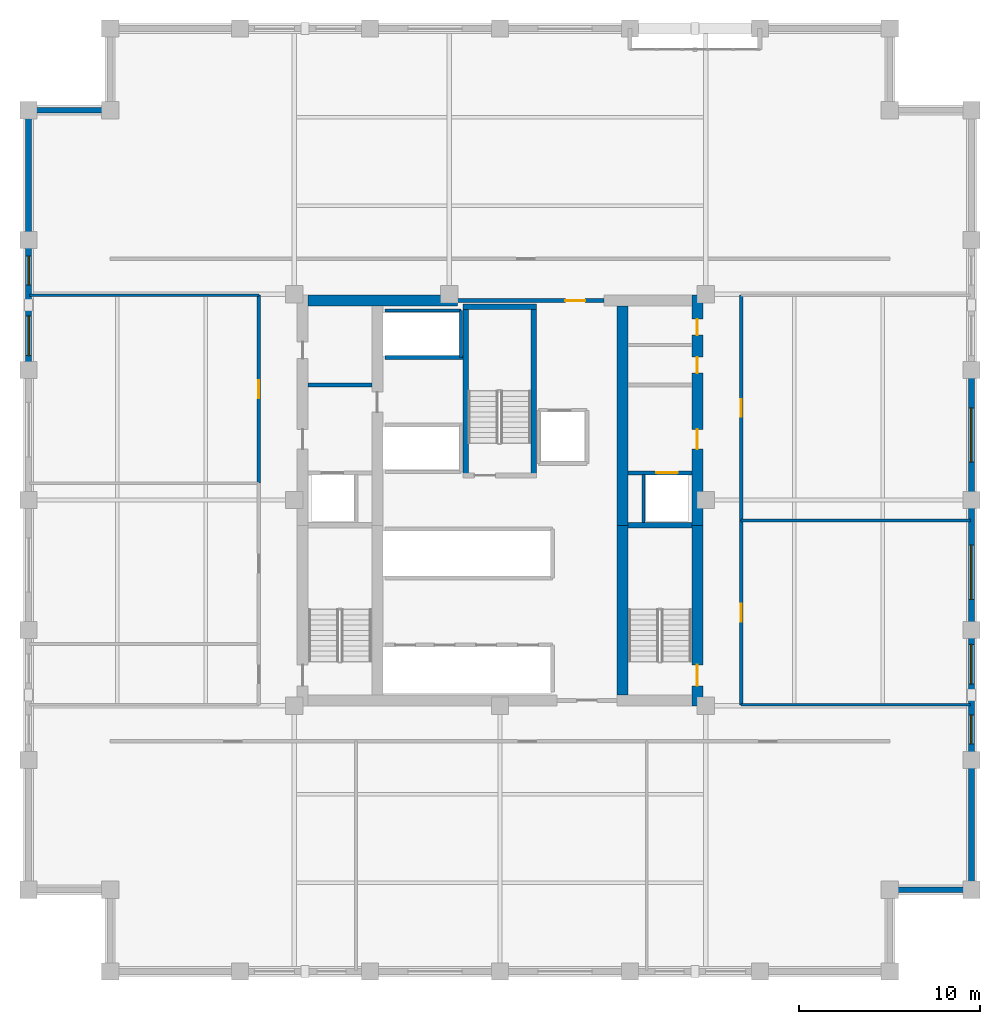
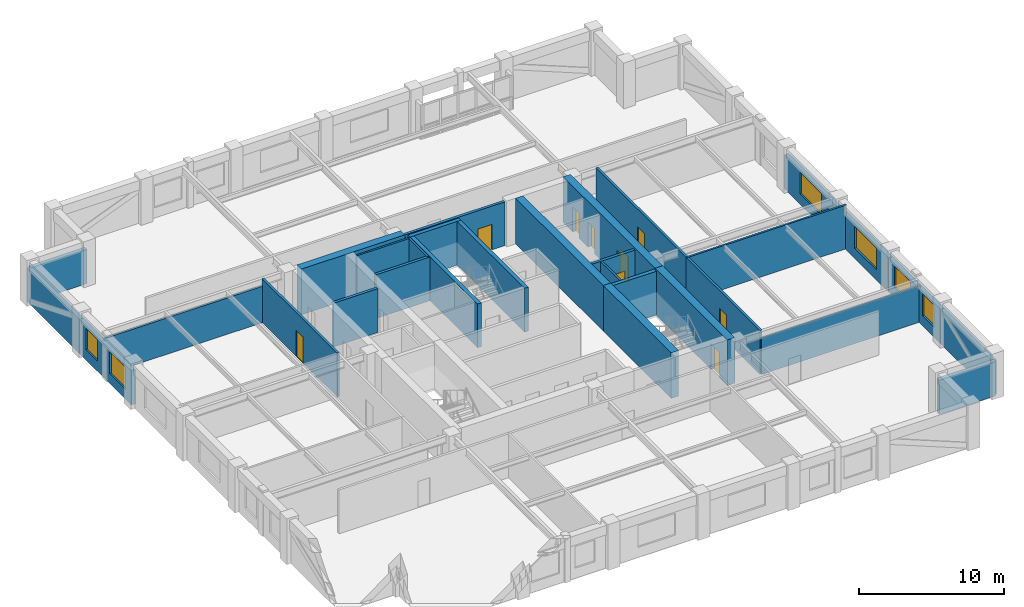
# One storey, part 5 of 8: 30 walls, 9 doors, 6 windows, 15 openings.
"""IFC4 building model written with IfcOpenShell, lengths in metres."""

import ifcopenshell
import ifcopenshell.guid

model = None  # the IFC model being written
_history = None  # IfcOwnerHistory: only IFC2X3 demands one
_inside = {}  # id of a spatial element -> (the spatial element, [elements in it])
_under = {}  # id of a project, library or spatial element -> (it, [spatial elements below it])
_declared = {}  # id of a project -> (the project, [libraries it declares])
_typed = {}  # id of a type object -> (the type object, [elements of that type])
_made_of = {}  # id of a material, layer set ... -> (it, [elements and type objects made of it])


def new_model(schema):
    """Start an empty IFC model of exactly this schema.

    Asked for "IFC4X3", IfcOpenShell would pick the latest addendum, in which some entities
    have other attributes; the version numbers below select the first issue.
    IFC2X3 requires an IfcOwnerHistory on every rooted entity: one is made here for all.
    """
    global model, _history
    if schema == "IFC4X3":
        model = ifcopenshell.file(schema_version=(4, 3, 0, 0))
    else:
        model = ifcopenshell.file(schema=schema)
    _inside.clear()
    _under.clear()
    _declared.clear()
    _typed.clear()
    _made_of.clear()
    _history = None
    if model.schema == "IFC2X3":
        org = make("IfcOrganization", Name="unknown")
        user = make(
            "IfcPersonAndOrganization",
            ThePerson=make("IfcPerson", FamilyName="unknown"),
            TheOrganization=org,
        )
        app = make(
            "IfcApplication",
            ApplicationDeveloper=org,
            Version="unknown",
            ApplicationFullName="unknown",
            ApplicationIdentifier="unknown",
        )
        _history = make(
            "IfcOwnerHistory",
            OwningUser=user,
            OwningApplication=app,
            ChangeAction="ADDED",
            CreationDate=0,
        )
    return model


def make(cls, **values):
    """One entity of the class cls with the attributes given. An attribute that is None is left unset."""
    return model.create_entity(
        cls, **{name: value for name, value in values.items() if value is not None}
    )


def rooted(cls, **values):
    """An entity with a GlobalId (a new one), such as an element, a storey or a relation."""
    return make(cls, GlobalId=ifcopenshell.guid.new(), OwnerHistory=_history, **values)


def si_unit(unit_type, name, prefix=None):
    """IfcSIUnit, for example si_unit("LENGTHUNIT", "METRE", prefix="MILLI")."""
    return make("IfcSIUnit", UnitType=unit_type, Prefix=prefix, Name=name)


def assignment(units):
    """IfcUnitAssignment: the units of a project."""
    return None if units is None else make("IfcUnitAssignment", Units=units)


def point(xyz):
    """IfcCartesianPoint."""
    return None if xyz is None else make("IfcCartesianPoint", Coordinates=xyz)


def direction(xyz):
    """IfcDirection."""
    return None if xyz is None else make("IfcDirection", DirectionRatios=xyz)


def frame(location, z_axis=None, x_axis=None):
    """IfcAxis2Placement3D, a coordinate frame: its origin and axes. An axis left out is left unset."""
    return make(
        "IfcAxis2Placement3D",
        Location=point(location),
        Axis=direction(z_axis),
        RefDirection=direction(x_axis),
    )


def frame_2d(location, x_axis=None):
    """IfcAxis2Placement2D, a coordinate frame in the plane: its origin and x axis."""
    return make(
        "IfcAxis2Placement2D", Location=point(location), RefDirection=direction(x_axis)
    )


def origin():
    """The frame at (0, 0, 0) with its axes left unset."""
    return frame((0.0, 0.0, 0.0))


def place(relative_to, where):
    """IfcLocalPlacement: puts the frame where relative to a parent placement (None: the world)."""
    return make(
        "IfcLocalPlacement", PlacementRelTo=relative_to, RelativePlacement=where
    )


def context(
    kind, dimensions, precision=None, world=None, true_north=None, identifier=None
):
    """IfcGeometricRepresentationContext, for example the 3D "Model" context."""
    return make(
        "IfcGeometricRepresentationContext",
        ContextIdentifier=identifier,
        ContextType=kind,
        CoordinateSpaceDimension=dimensions,
        Precision=precision,
        WorldCoordinateSystem=world,
        TrueNorth=true_north,
    )


def subcontext(parent, identifier, kind, view, scale=None):
    """IfcGeometricRepresentationSubContext, for example "Body" below "Model"."""
    return make(
        "IfcGeometricRepresentationSubContext",
        ContextIdentifier=identifier,
        ContextType=kind,
        ParentContext=parent,
        TargetScale=scale,
        TargetView=view,
    )


def project(units=None, contexts=None):
    """IfcProject with its units and contexts."""
    return rooted(
        "IfcProject",
        Name="project",
        RepresentationContexts=contexts,
        UnitsInContext=assignment(units),
    )


def spatial(cls, under=None, at=None, **own):
    """A site, building, storey or space (cls), placed at a placement, below another one or the project."""
    s = rooted(cls, ObjectPlacement=at, **own)
    if under is not None:
        _under.setdefault(under.id(), (under, []))[1].append(s)
    return s


def profile(cls, at=None, kind="AREA", **sizes):
    """A parametric profile (cls). Its sizes go by their IFC names, for example OverallWidth=200.0."""
    return make(cls, ProfileType=kind, Position=at, **sizes)


def rectangle(**sizes):
    """IfcRectangleProfileDef."""
    return profile("IfcRectangleProfileDef", **sizes)


def extrude(swept, where, along, depth):
    """IfcExtrudedAreaSolid: the profile swept, set in the frame where, extruded along a direction by depth."""
    return make(
        "IfcExtrudedAreaSolid",
        SweptArea=swept,
        Position=where,
        ExtrudedDirection=direction(along),
        Depth=depth,
    )


def shape(context_of_items, identifier, shape_type, items):
    """IfcShapeRepresentation: the items that make up one representation, for example the "Body"."""
    return make(
        "IfcShapeRepresentation",
        ContextOfItems=context_of_items,
        RepresentationIdentifier=identifier,
        RepresentationType=shape_type,
        Items=items,
    )


def material(Name=None, Category=None):
    """IfcMaterial."""
    return make("IfcMaterial", Name=Name, Category=Category)


def layer(
    of_material, thickness, ventilated=None, Name=None, Category=None, Priority=None
):
    """IfcMaterialLayer: one layer of a wall or slab, of a material (None: an air gap)."""
    return make(
        "IfcMaterialLayer",
        Material=of_material,
        LayerThickness=thickness,
        IsVentilated=ventilated,
        Name=Name,
        Category=Category,
        Priority=Priority,
    )


def layer_set(layers, Name=None):
    """IfcMaterialLayerSet."""
    return make("IfcMaterialLayerSet", MaterialLayers=layers, LayerSetName=Name)


def made_of(thing, what):
    """Note that an element or type object is made of a material, layer set ...; save() writes the relation."""
    if what is not None:
        _made_of.setdefault(what.id(), (what, []))[1].append(thing)
    return thing


def type_object(cls, material=None, **own):
    """A type object (cls), such as IfcWallType, which elements share."""
    return made_of(rooted(cls, **own), material)


def element(
    cls,
    number,
    at=None,
    inside=None,
    cuts=None,
    type_object=None,
    material=None,
    context=None,
    identifier="Body",
    shape_type=None,
    held_by="IfcProductDefinitionShape",
    body=None,
    shapes=None,
    **own,
):
    """One element of the class cls, such as IfcWall. Its Tag is "e" and its number.

    at: its placement. inside: the storey or other place that contains it. cuts: it is an
    opening in that element (IfcRelVoidsElement). A single representation is given by context,
    identifier, shape_type and body (its items); several are given by shapes. held_by: the class
    of the entity that holds the representations. save() writes the other relations.
    """
    e = rooted(cls, Tag="e%d" % number, ObjectPlacement=at, **own)
    if body is not None:
        shapes = [shape(context, identifier, shape_type, body)]
    if shapes is not None:
        e.Representation = make(held_by, Representations=shapes)
    if inside is not None:
        _inside.setdefault(inside.id(), (inside, []))[1].append(e)
    if cuts is not None:
        rooted(
            "IfcRelVoidsElement", RelatingBuildingElement=cuts, RelatedOpeningElement=e
        )
    if type_object is not None:
        _typed.setdefault(type_object.id(), (type_object, []))[1].append(e)
    return made_of(e, material)


def fill(opening, filler):
    """IfcRelFillsElement: the door or window that sits in an opening."""
    return rooted(
        "IfcRelFillsElement",
        RelatingOpeningElement=opening,
        RelatedBuildingElement=filler,
    )


def aggregate(whole, parts):
    """IfcRelAggregates: a whole, such as a stair, and the parts it consists of."""
    return rooted("IfcRelAggregates", RelatingObject=whole, RelatedObjects=parts)


def save(model, path):
    """Write the relations noted so far, then the file.

    IfcRelAggregates (storeys below a building ...), IfcRelContainedInSpatialStructure (elements
    in a storey), IfcRelDefinesByType, IfcRelAssociatesMaterial and IfcRelDeclares: one each for
    every whole, place, type object, material and project.
    """
    for whole, parts in _under.values():
        aggregate(whole, parts)
    for where, things in _inside.values():
        rooted(
            "IfcRelContainedInSpatialStructure",
            RelatedElements=things,
            RelatingStructure=where,
        )
    for kind, things in _typed.values():
        rooted("IfcRelDefinesByType", RelatedObjects=things, RelatingType=kind)
    for what, things in _made_of.values():
        rooted("IfcRelAssociatesMaterial", RelatedObjects=things, RelatingMaterial=what)
    for by, libraries in _declared.values():
        rooted("IfcRelDeclares", RelatingContext=by, RelatedDefinitions=libraries)
    model.write(path)


model = new_model("IFC4")

# Units and contexts
model_context = context("Model", 3, precision=1e-05, world=origin(), true_north=direction((0.0, 1.0)))
body_context = subcontext(model_context, "Body", "Model", "MODEL_VIEW")
ifc_project = project(units=[si_unit("LENGTHUNIT", "METRE"), si_unit("AREAUNIT", "SQUARE_METRE"), si_unit("VOLUMEUNIT", "CUBIC_METRE"), si_unit("PLANEANGLEUNIT", "RADIAN"), si_unit("MASSUNIT", "GRAM", prefix="KILO")], contexts=[model_context])

# Site, building, storey
site_placement = place(None, origin())
site = spatial("IfcSite", under=ifc_project, at=site_placement, CompositionType="ELEMENT")
building_placement = place(site_placement, origin())
building = spatial("IfcBuilding", under=site, at=building_placement, Name="Nhamokura Convention Tower", CompositionType="ELEMENT")
storey_placement = place(building_placement, frame((0.0, 0.0, 137.550048828125)))
storey = spatial("IfcBuildingStorey", under=building, at=storey_placement, Name="L33", CompositionType="ELEMENT", Elevation=137.550048828125)

# Wall, openings, windows
ifc_material_1 = material(Name="Bronze-pigmented precast concrete C45/55", Category="concrete")
ifc_layer_1 = layer(ifc_material_1, 0.320068359375)
ifc_layer_set_1 = layer_set([ifc_layer_1], Name="BronzePrecastSpandrel_320")
wall_type_1 = type_object("IfcWallType", Name="BronzePrecastSpandrel_320", PredefinedType="USERDEFINED", material=ifc_layer_set_1)
wall_1_placement = place(storey_placement, frame((6.0, 39.166748046875, 0.0), z_axis=(0.0, 0.0, 1.0), x_axis=(0.0, 1.0, 0.0)))
wall_1 = element("IfcWall", 1, at=wall_1_placement, inside=storey, type_object=wall_type_1, Name="L33 Masonry-Frame Wall WEST 4", ObjectType="SPANDREL_WALL", PredefinedType="USERDEFINED", context=body_context, shape_type="SweptSolid", body=[
    extrude(rectangle(XDim=7.16650390625, YDim=0.320068359375, at=frame_2d((3.583251953125, 0.0))), origin(), (0.0, 0.0, 1.0), 2.885009765625),
])
opening_1_placement = place(wall_1_placement, frame((0.791748046875, 0.0, 0.85009765625)))
opening_1 = element("IfcOpeningElement", 2, at=opening_1_placement, cuts=wall_1, Name="Opening W-06", PredefinedType="OPENING", context=body_context, shape_type="SweptSolid", body=[
    extrude(rectangle(XDim=2.199951171875, YDim=1.8349609375, at=frame_2d((1.10009765625, 0.91748046875))), frame((0.0, 0.169921875, 0.0), z_axis=(0.0, -1.0, 0.0), x_axis=(1.0, 0.0, 0.0)), (0.0, 0.0, 1.0), 0.340087890625),
])
opening_2_placement = place(wall_1_placement, frame((4.6875, 0.0, 0.85009765625)))
opening_2 = element("IfcOpeningElement", 3, at=opening_2_placement, cuts=wall_1, Name="Opening W-11", PredefinedType="OPENING", context=body_context, shape_type="SweptSolid", body=[
    extrude(rectangle(XDim=1.60009765625, YDim=1.8349609375, at=frame_2d((0.800048828125, 0.91748046875))), frame((0.0, 0.169921875, 0.0), z_axis=(0.0, -1.0, 0.0), x_axis=(1.0, 0.0, 0.0)), (0.0, 0.0, 1.0), 0.340087890625),
])
ifc_material_2 = material(Name="Solar-control bronze low-E double glass", Category="glass")
window_type_1 = type_object("IfcWindowType", Name="NotchCornerWindow_1600", PartitioningType="SINGLE_PANEL", PredefinedType="WINDOW", material=ifc_material_2)
window_1_placement = place(opening_2_placement, origin())
window_1 = element("IfcWindow", 4, at=window_1_placement, inside=storey, type_object=window_type_1, Name="L33 Facade Window WEST 4-2", OverallHeight=1.8349609375, OverallWidth=1.60009765625, PartitioningType="SINGLE_PANEL", PredefinedType="WINDOW", context=body_context, shape_type="SweptSolid", body=[
    extrude(rectangle(XDim=1.60009765625, YDim=1.8349609375, at=frame_2d((0.800048828125, 0.91748046875))), frame((0.0, 0.030029296875, 0.0), z_axis=(0.0, -1.0, 0.0), x_axis=(1.0, 0.0, 0.0)), (0.0, 0.0, 1.0), 0.06005859375),
])
fill(opening_2, window_1)
ifc_material_3 = material(Name="Solar-control bronze low-E double glass", Category="glass")
window_type_2 = type_object("IfcWindowType", Name="OfficeModuleWindow_Z2_2200", PartitioningType="SINGLE_PANEL", PredefinedType="WINDOW", material=ifc_material_3)
window_2_placement = place(opening_1_placement, origin())
window_2 = element("IfcWindow", 5, at=window_2_placement, inside=storey, type_object=window_type_2, Name="L33 Facade Window WEST 4-1", OverallHeight=1.8349609375, OverallWidth=2.199951171875, PartitioningType="SINGLE_PANEL", PredefinedType="WINDOW", context=body_context, shape_type="SweptSolid", body=[
    extrude(rectangle(XDim=2.199951171875, YDim=1.8349609375, at=frame_2d((1.10009765625, 0.91748046875))), frame((0.0, 0.030029296875, 0.0), z_axis=(0.0, -1.0, 0.0), x_axis=(1.0, 0.0, 0.0)), (0.0, 0.0, 1.0), 0.06005859375),
])
fill(opening_1, window_2)

# Walls
for number, where, z_axis, x_axis, name in (
    (6, (6.0, 46.333251953125, 0.0), (0.0, 0.0, 1.0), (0.0, 1.0, 0.0), "L33 Braced-Bay Precast Wall WEST 5"),
    (7, (58.0, 17.666748046875, 0.0), (0.0, 0.0, 1.0), (0.0, -1.0, 0.0), "L33 Braced-Bay Precast Wall EAST 0"),
):
    element("IfcWall", number, at=place(storey_placement, frame(where, z_axis=z_axis, x_axis=x_axis)), inside=storey, type_object=wall_type_1, Name=name, ObjectType="SPANDREL_WALL", PredefinedType="USERDEFINED", context=body_context, shape_type="SweptSolid", body=[
        extrude(rectangle(XDim=7.166748046875, YDim=0.320068359375, at=frame_2d((3.58349609375, 0.0))), origin(), (0.0, 0.0, 1.0), 2.885009765625),
    ])

# Wall, openings, windows
wall_2_placement = place(storey_placement, frame((58.0, 24.833251953125, 0.0), z_axis=(0.0, 0.0, 1.0), x_axis=(0.0, -1.0, 0.0)))
wall_2 = element("IfcWall", 8, at=wall_2_placement, inside=storey, type_object=wall_type_1, Name="L33 Masonry-Frame Wall EAST 1", ObjectType="SPANDREL_WALL", PredefinedType="USERDEFINED", context=body_context, shape_type="SweptSolid", body=[
    extrude(rectangle(XDim=7.16650390625, YDim=0.320068359375, at=frame_2d((3.583251953125, 0.0))), origin(), (0.0, 0.0, 1.0), 2.885009765625),
])
opening_3_placement = place(wall_2_placement, frame((0.791748046875, 0.0, 0.85009765625)))
opening_3 = element("IfcOpeningElement", 9, at=opening_3_placement, cuts=wall_2, Name="Opening W-06", PredefinedType="OPENING", context=body_context, shape_type="SweptSolid", body=[
    extrude(rectangle(XDim=2.199951171875, YDim=1.8349609375, at=frame_2d((1.10009765625, 0.91748046875))), frame((0.0, 0.169921875, 0.0), z_axis=(0.0, -1.0, 0.0), x_axis=(1.0, 0.0, 0.0)), (0.0, 0.0, 1.0), 0.340087890625),
])
opening_4_placement = place(wall_2_placement, frame((4.6875, 0.0, 0.85009765625)))
opening_4 = element("IfcOpeningElement", 10, at=opening_4_placement, cuts=wall_2, Name="Opening W-11", PredefinedType="OPENING", context=body_context, shape_type="SweptSolid", body=[
    extrude(rectangle(XDim=1.60009765625, YDim=1.8349609375, at=frame_2d((0.800048828125, 0.91748046875))), frame((0.0, 0.169921875, 0.0), z_axis=(0.0, -1.0, 0.0), x_axis=(1.0, 0.0, 0.0)), (0.0, 0.0, 1.0), 0.340087890625),
])
window_3_placement = place(opening_4_placement, origin())
window_3 = element("IfcWindow", 11, at=window_3_placement, inside=storey, type_object=window_type_1, Name="L33 Facade Window EAST 1-2", OverallHeight=1.8349609375, OverallWidth=1.60009765625, PartitioningType="SINGLE_PANEL", PredefinedType="WINDOW", context=body_context, shape_type="SweptSolid", body=[
    extrude(rectangle(XDim=1.60009765625, YDim=1.8349609375, at=frame_2d((0.800048828125, 0.91748046875))), frame((0.0, 0.030029296875, 0.0), z_axis=(0.0, -1.0, 0.0), x_axis=(1.0, 0.0, 0.0)), (0.0, 0.0, 1.0), 0.06005859375),
])
fill(opening_4, window_3)
window_4_placement = place(opening_3_placement, origin())
window_4 = element("IfcWindow", 12, at=window_4_placement, inside=storey, type_object=window_type_2, Name="L33 Facade Window EAST 1-1", OverallHeight=1.8349609375, OverallWidth=2.199951171875, PartitioningType="SINGLE_PANEL", PredefinedType="WINDOW", context=body_context, shape_type="SweptSolid", body=[
    extrude(rectangle(XDim=2.199951171875, YDim=1.8349609375, at=frame_2d((1.10009765625, 0.91748046875))), frame((0.0, 0.030029296875, 0.0), z_axis=(0.0, -1.0, 0.0), x_axis=(1.0, 0.0, 0.0)), (0.0, 0.0, 1.0), 0.06005859375),
])
fill(opening_3, window_4)

# Wall, opening, window
wall_3_placement = place(storey_placement, frame((58.0, 32.0, 0.0), z_axis=(0.0, 0.0, 1.0), x_axis=(0.0, -1.0, 0.0)))
wall_3 = element("IfcWall", 13, at=wall_3_placement, inside=storey, type_object=wall_type_1, Name="L33 Masonry-Frame Wall EAST 2", ObjectType="SPANDREL_WALL", PredefinedType="USERDEFINED", context=body_context, shape_type="SweptSolid", body=[
    extrude(rectangle(XDim=7.166748046875, YDim=0.320068359375, at=frame_2d((3.58349609375, 0.0))), origin(), (0.0, 0.0, 1.0), 2.885009765625),
])
opening_5_placement = place(wall_3_placement, frame((2.4833984375, 0.0, 0.85009765625)))
opening_5 = element("IfcOpeningElement", 14, at=opening_5_placement, cuts=wall_3, Name="Opening W-05", PredefinedType="OPENING", context=body_context, shape_type="SweptSolid", body=[
    extrude(rectangle(XDim=3.0, YDim=1.8349609375, at=frame_2d((1.5, 0.91748046875))), frame((0.0, 0.169921875, 0.0), z_axis=(0.0, -1.0, 0.0), x_axis=(1.0, 0.0, 0.0)), (0.0, 0.0, 1.0), 0.340087890625),
])
ifc_material_4 = material(Name="Solar-control bronze low-E double glass", Category="glass")
window_type_3 = type_object("IfcWindowType", Name="OfficeModuleWindow_Z2_3000", PartitioningType="DOUBLE_PANEL_VERTICAL", PredefinedType="WINDOW", material=ifc_material_4)
window_5_placement = place(opening_5_placement, origin())
window_5 = element("IfcWindow", 15, at=window_5_placement, inside=storey, type_object=window_type_3, Name="L33 Facade Window EAST 2-2", OverallHeight=1.8349609375, OverallWidth=3.0, PartitioningType="SINGLE_PANEL", PredefinedType="WINDOW", context=body_context, shape_type="SweptSolid", body=[
    extrude(rectangle(XDim=3.0, YDim=1.8349609375, at=frame_2d((1.5, 0.91748046875))), frame((0.0, 0.030029296875, 0.0), z_axis=(0.0, -1.0, 0.0), x_axis=(1.0, 0.0, 0.0)), (0.0, 0.0, 1.0), 0.06005859375),
])
fill(opening_5, window_5)

wall_4_placement = place(storey_placement, frame((58.0, 39.166748046875, 0.0), z_axis=(0.0, 0.0, 1.0), x_axis=(0.0, -1.0, 0.0)))
wall_4 = element("IfcWall", 16, at=wall_4_placement, inside=storey, type_object=wall_type_1, Name="L33 Masonry-Frame Wall EAST 3", ObjectType="SPANDREL_WALL", PredefinedType="USERDEFINED", context=body_context, shape_type="SweptSolid", body=[
    extrude(rectangle(XDim=7.166748046875, YDim=0.320068359375, at=frame_2d((3.58349609375, 0.0))), origin(), (0.0, 0.0, 1.0), 2.885009765625),
])
opening_6_placement = place(wall_4_placement, frame((2.083251953125, 0.0, 0.85009765625)))
opening_6 = element("IfcOpeningElement", 17, at=opening_6_placement, cuts=wall_4, Name="Opening W-05", PredefinedType="OPENING", context=body_context, shape_type="SweptSolid", body=[
    extrude(rectangle(XDim=3.0, YDim=1.8349609375, at=frame_2d((1.5, 0.91748046875))), frame((0.0, 0.169921875, 0.0), z_axis=(0.0, -1.0, 0.0), x_axis=(1.0, 0.0, 0.0)), (0.0, 0.0, 1.0), 0.340087890625),
])
window_6_placement = place(opening_6_placement, origin())
window_6 = element("IfcWindow", 18, at=window_6_placement, inside=storey, type_object=window_type_3, Name="L33 Facade Window EAST 3", OverallHeight=1.8349609375, OverallWidth=3.0, PartitioningType="SINGLE_PANEL", PredefinedType="WINDOW", context=body_context, shape_type="SweptSolid", body=[
    extrude(rectangle(XDim=3.0, YDim=1.8349609375, at=frame_2d((1.5, 0.91748046875))), frame((0.0, 0.030029296875, 0.0), z_axis=(0.0, -1.0, 0.0), x_axis=(1.0, 0.0, 0.0)), (0.0, 0.0, 1.0), 0.06005859375),
])
fill(opening_6, window_6)

# Walls
for number, where, z_axis, x_axis, name in (
    (19, (58.0, 10.5, 0.0), (0.0, 0.0, 1.0), (-1.0, 0.0, 0.0), "L33 Notched Corner Wall SE2"),
    (20, (6.0, 53.5, 0.0), (0.0, 0.0, 1.0), (1.0, 0.0, 0.0), "L33 Notched Corner Wall NW2"),
):
    element("IfcWall", number, at=place(storey_placement, frame(where, z_axis=z_axis, x_axis=x_axis)), inside=storey, type_object=wall_type_1, Name=name, ObjectType="SPANDREL_WALL", PredefinedType="USERDEFINED", context=body_context, shape_type="SweptSolid", body=[
        extrude(rectangle(XDim=4.5, YDim=0.320068359375, at=frame_2d((2.25, 0.0))), origin(), (0.0, 0.0, 1.0), 2.885009765625),
    ])

# Wall, opening, door
ifc_material_5 = material(Name="Concrete C60/75", Category="concrete")
ifc_layer_2 = layer(ifc_material_5, 0.60009765625)
ifc_layer_set_2 = layer_set([ifc_layer_2], Name="CoreShearWall_600")
wall_type_2 = type_object("IfcWallType", Name="CoreShearWall_600", PredefinedType="SHEAR", material=ifc_layer_set_2)
wall_5_placement = place(storey_placement, frame((42.889892578125, 20.64990234375, 0.0), z_axis=(0.0, 0.0, 1.0), x_axis=(0.0, 1.0, 0.0)))
wall_5 = element("IfcWall", 21, at=wall_5_placement, inside=storey, type_object=wall_type_2, Name="L33 Core Shear Wall CW-ES", PredefinedType="SHEAR", context=body_context, shape_type="SweptSolid", body=[
    extrude(rectangle(XDim=9.9501953125, YDim=0.60009765625, at=frame_2d((4.97509765625, 0.0))), origin(), (0.0, 0.0, 1.0), 3.849853515625),
])
opening_7_placement = place(wall_5_placement, frame((1.10009765625, 0.0, 0.0)))
opening_7 = element("IfcOpeningElement", 22, at=opening_7_placement, cuts=wall_5, Name="Opening D-04", PredefinedType="OPENING", context=body_context, shape_type="SweptSolid", body=[
    extrude(rectangle(XDim=1.14990234375, YDim=2.14990234375, at=frame_2d((0.574951171875, 1.074951171875))), frame((0.0, 0.31005859375, 0.0), z_axis=(0.0, -1.0, 0.0), x_axis=(1.0, 0.0, 0.0)), (0.0, 0.0, 1.0), 0.6201171875),
])
ifc_material_6 = material(Name="Fire-rated steel door", Category="steel")
door_type_1 = type_object("IfcDoorType", Name="StairSmokeDoor_1150", OperationType="NOTDEFINED", PredefinedType="DOOR", material=ifc_material_6)
door_1_placement = place(opening_7_placement, origin())
door_1 = element("IfcDoor", 23, at=door_1_placement, inside=storey, type_object=door_type_1, Name="L33 Core Door INT-L33-D-ST02", OperationType="SINGLE_SWING_RIGHT", OverallHeight=2.14990234375, OverallWidth=1.14990234375, PredefinedType="DOOR", context=body_context, shape_type="SweptSolid", body=[
    extrude(rectangle(XDim=1.14990234375, YDim=2.14990234375, at=frame_2d((0.574951171875, 1.074951171875))), frame((0.0, 0.02490234375, 0.0), z_axis=(0.0, -1.0, 0.0), x_axis=(1.0, 0.0, 0.0)), (0.0, 0.0, 1.0), 0.050048828125),
])
fill(opening_7, door_1)

# Wall, openings, doors
wall_6_placement = place(storey_placement, frame((42.889892578125, 30.60009765625, 0.0), z_axis=(0.0, 0.0, 1.0), x_axis=(0.0, 1.0, 0.0)))
wall_6 = element("IfcWall", 24, at=wall_6_placement, inside=storey, type_object=wall_type_2, Name="L33 Core Shear Wall CW-EN", PredefinedType="SHEAR", context=body_context, shape_type="SweptSolid", body=[
    extrude(rectangle(XDim=12.699951171875, YDim=0.60009765625, at=frame_2d((6.35009765625, 0.0))), origin(), (0.0, 0.0, 1.0), 3.849853515625),
])
opening_8_placement = place(wall_6_placement, frame((4.199951171875, 0.0, 0.0)))
opening_8 = element("IfcOpeningElement", 25, at=opening_8_placement, cuts=wall_6, Name="Opening D-05", PredefinedType="OPENING", context=body_context, shape_type="SweptSolid", body=[
    extrude(rectangle(XDim=1.10009765625, YDim=2.14990234375, at=frame_2d((0.550048828125, 1.074951171875))), frame((0.0, 0.31005859375, 0.0), z_axis=(0.0, -1.0, 0.0), x_axis=(1.0, 0.0, 0.0)), (0.0, 0.0, 1.0), 0.6201171875),
])
opening_9_placement = place(wall_6_placement, frame((8.39990234375, 0.0, 0.0)))
opening_9 = element("IfcOpeningElement", 26, at=opening_9_placement, cuts=wall_6, Name="Opening D-11", PredefinedType="OPENING", context=body_context, shape_type="SweptSolid", body=[
    extrude(rectangle(XDim=0.8798828125, YDim=2.10009765625, at=frame_2d((0.43994140625, 1.050048828125))), frame((0.0, 0.31005859375, 0.0), z_axis=(0.0, -1.0, 0.0), x_axis=(1.0, 0.0, 0.0)), (0.0, 0.0, 1.0), 0.6201171875),
])
opening_10_placement = place(wall_6_placement, frame((10.5, 0.0, 0.0)))
opening_10 = element("IfcOpeningElement", 27, at=opening_10_placement, cuts=wall_6, Name="Opening D-11", PredefinedType="OPENING", context=body_context, shape_type="SweptSolid", body=[
    extrude(rectangle(XDim=0.8798828125, YDim=2.10009765625, at=frame_2d((0.43994140625, 1.050048828125))), frame((0.0, 0.31005859375, 0.0), z_axis=(0.0, -1.0, 0.0), x_axis=(1.0, 0.0, 0.0)), (0.0, 0.0, 1.0), 0.6201171875),
])
ifc_material_7 = material(Name="Solid oak hardwood", Category="wood")
door_type_2 = type_object("IfcDoorType", Name="BathroomDoor_880", OperationType="NOTDEFINED", PredefinedType="DOOR", material=ifc_material_7)
door_2_placement = place(opening_9_placement, origin())
door_2 = element("IfcDoor", 28, at=door_2_placement, inside=storey, type_object=door_type_2, Name="L33 Core Door INT-L33-D-MWC", OperationType="SINGLE_SWING_RIGHT", OverallHeight=2.10009765625, OverallWidth=0.8798828125, PredefinedType="DOOR", context=body_context, shape_type="SweptSolid", body=[
    extrude(rectangle(XDim=0.8798828125, YDim=2.10009765625, at=frame_2d((0.43994140625, 1.050048828125))), frame((0.0, 0.02490234375, 0.0), z_axis=(0.0, -1.0, 0.0), x_axis=(1.0, 0.0, 0.0)), (0.0, 0.0, 1.0), 0.050048828125),
])
fill(opening_9, door_2)
door_3_placement = place(opening_10_placement, origin())
door_3 = element("IfcDoor", 29, at=door_3_placement, inside=storey, type_object=door_type_2, Name="L33 Core Door INT-L33-D-FWC", OperationType="SINGLE_SWING_LEFT", OverallHeight=2.10009765625, OverallWidth=0.8798828125, PredefinedType="DOOR", context=body_context, shape_type="SweptSolid", body=[
    extrude(rectangle(XDim=0.8798828125, YDim=2.10009765625, at=frame_2d((0.43994140625, 1.050048828125))), frame((0.0, 0.02490234375, 0.0), z_axis=(0.0, -1.0, 0.0), x_axis=(1.0, 0.0, 0.0)), (0.0, 0.0, 1.0), 0.050048828125),
])
fill(opening_10, door_3)
ifc_material_8 = material(Name="Fire-rated steel door", Category="steel")
door_type_3 = type_object("IfcDoorType", Name="FireLobbyDoor_1100", OperationType="NOTDEFINED", PredefinedType="DOOR", material=ifc_material_8)
door_4_placement = place(opening_8_placement, origin())
door_4 = element("IfcDoor", 30, at=door_4_placement, inside=storey, type_object=door_type_3, Name="L33 Core Door INT-L33-D-FFLE", OperationType="SINGLE_SWING_LEFT", OverallHeight=2.14990234375, OverallWidth=1.10009765625, PredefinedType="DOOR", context=body_context, shape_type="SweptSolid", body=[
    extrude(rectangle(XDim=1.10009765625, YDim=2.14990234375, at=frame_2d((0.550048828125, 1.074951171875))), frame((0.0, 0.02490234375, 0.0), z_axis=(0.0, -1.0, 0.0), x_axis=(1.0, 0.0, 0.0)), (0.0, 0.0, 1.0), 0.050048828125),
])
fill(opening_8, door_4)

# Walls
wall_7_placement = place(storey_placement, frame((21.409912109375, 43.0, 0.0), z_axis=(0.0, 0.0, 1.0), x_axis=(1.0, 0.0, 0.0)))
element("IfcWall", 31, at=wall_7_placement, inside=storey, type_object=wall_type_2, Name="L33 Core Shear Wall CW-N1", PredefinedType="SHEAR", context=body_context, shape_type="SweptSolid", body=[
    extrude(rectangle(XDim=8.239990234375, YDim=0.60009765625, at=frame_2d((4.1201171875, 0.0))), origin(), (0.0, 0.0, 1.0), 3.849853515625),
])
wall_8_placement = place(storey_placement, frame((38.760009765625, 21.25, 0.0), z_axis=(0.0, 0.0, 1.0), x_axis=(0.0, 1.0, 0.0)))
element("IfcWall", 32, at=wall_8_placement, inside=storey, type_object=wall_type_2, Name="L33 Core Shear Wall CW-IES", PredefinedType="SHEAR", context=body_context, shape_type="SweptSolid", body=[
    extrude(rectangle(XDim=9.35009765625, YDim=0.60009765625, at=frame_2d((4.675048828125, 0.0))), origin(), (0.0, 0.0, 1.0), 3.849853515625),
])
wall_9_placement = place(storey_placement, frame((38.760009765625, 30.60009765625, 0.0), z_axis=(0.0, 0.0, 1.0), x_axis=(0.0, 1.0, 0.0)))
element("IfcWall", 33, at=wall_9_placement, inside=storey, type_object=wall_type_2, Name="L33 Core Shear Wall CW-IEN", PredefinedType="SHEAR", context=body_context, shape_type="SweptSolid", body=[
    extrude(rectangle(XDim=12.099853515625, YDim=0.60009765625, at=frame_2d((6.0498046875, 0.0))), origin(), (0.0, 0.0, 1.0), 3.849853515625),
])

# Wall, opening, door
ifc_material_9 = material(Name="Fire-rated gypsum and masonry partition", Category="masonry")
ifc_layer_3 = layer(ifc_material_9, 0.179931640625)
ifc_layer_set_3 = layer_set([ifc_layer_3], Name="CorridorRatedWall_180")
wall_type_3 = type_object("IfcWallType", Name="CorridorRatedWall_180", PredefinedType="STANDARD", material=ifc_layer_set_3)
wall_10_placement = place(storey_placement, frame((18.699951171875, 32.925048828125, 0.0), z_axis=(0.0, 0.0, 1.0), x_axis=(0.0, 1.0, 0.0)))
wall_10 = element("IfcWall", 34, at=wall_10_placement, inside=storey, type_object=wall_type_3, Name="L33 Wall INT-L33-CW-W02", PredefinedType="STANDARD", context=body_context, shape_type="SweptSolid", body=[
    extrude(rectangle(XDim=10.375, YDim=0.179931640625, at=frame_2d((5.1875, 0.0))), origin(), (0.0, 0.0, 1.0), 3.68505859375),
])
opening_11_placement = place(wall_10_placement, frame((4.6875, 0.0, 0.0)))
opening_11 = element("IfcOpeningElement", 35, at=opening_11_placement, cuts=wall_10, Name="Opening D-08", PredefinedType="OPENING", context=body_context, shape_type="SweptSolid", body=[
    extrude(rectangle(XDim=0.97998046875, YDim=2.199951171875, at=frame_2d((0.489990234375, 1.10009765625))), frame((0.0, 0.099853515625, 0.0), z_axis=(0.0, -1.0, 0.0), x_axis=(1.0, 0.0, 0.0)), (0.0, 0.0, 1.0), 0.199951171875),
])
ifc_material_10 = material(Name="Solid oak hardwood", Category="wood")
door_type_4 = type_object("IfcDoorType", Name="OfficeEntryDoor_980", OperationType="NOTDEFINED", PredefinedType="DOOR", material=ifc_material_10)
door_5_placement = place(opening_11_placement, origin())
door_5 = element("IfcDoor", 36, at=door_5_placement, inside=storey, type_object=door_type_4, Name="L33 Private Office W03 Door", OperationType="SINGLE_SWING_LEFT", OverallHeight=2.199951171875, OverallWidth=0.97998046875, PredefinedType="DOOR", context=body_context, shape_type="SweptSolid", body=[
    extrude(rectangle(XDim=0.97998046875, YDim=2.199951171875, at=frame_2d((0.489990234375, 1.10009765625))), frame((0.0, 0.02490234375, 0.0), z_axis=(0.0, -1.0, 0.0), x_axis=(1.0, 0.0, 0.0)), (0.0, 0.0, 1.0), 0.050048828125),
])
fill(opening_11, door_5)

wall_11_placement = place(storey_placement, frame((45.300048828125, 20.699951171875, 0.0), z_axis=(0.0, 0.0, 1.0), x_axis=(0.0, 1.0, 0.0)))
wall_11 = element("IfcWall", 37, at=wall_11_placement, inside=storey, type_object=wall_type_3, Name="L33 Wall INT-L33-CW-E00", PredefinedType="STANDARD", context=body_context, shape_type="SweptSolid", body=[
    extrude(rectangle(XDim=10.175048828125, YDim=0.179931640625, at=frame_2d((5.08740234375, 0.0))), origin(), (0.0, 0.0, 1.0), 3.68505859375),
])
opening_12_placement = place(wall_11_placement, frame((4.58740234375, 0.0, 0.0)))
opening_12 = element("IfcOpeningElement", 38, at=opening_12_placement, cuts=wall_11, Name="Opening D-08", PredefinedType="OPENING", context=body_context, shape_type="SweptSolid", body=[
    extrude(rectangle(XDim=0.97998046875, YDim=2.199951171875, at=frame_2d((0.489990234375, 1.10009765625))), frame((0.0, 0.099853515625, 0.0), z_axis=(0.0, -1.0, 0.0), x_axis=(1.0, 0.0, 0.0)), (0.0, 0.0, 1.0), 0.199951171875),
])
door_6_placement = place(opening_12_placement, origin())
door_6 = element("IfcDoor", 39, at=door_6_placement, inside=storey, type_object=door_type_4, Name="L33 Reference Library E01 Door", OperationType="SINGLE_SWING_LEFT", OverallHeight=2.199951171875, OverallWidth=0.97998046875, PredefinedType="DOOR", context=body_context, shape_type="SweptSolid", body=[
    extrude(rectangle(XDim=0.97998046875, YDim=2.199951171875, at=frame_2d((0.489990234375, 1.10009765625))), frame((0.0, 0.02490234375, 0.0), z_axis=(0.0, -1.0, 0.0), x_axis=(1.0, 0.0, 0.0)), (0.0, 0.0, 1.0), 0.050048828125),
])
fill(opening_12, door_6)

wall_12_placement = place(storey_placement, frame((45.300048828125, 30.875, 0.0), z_axis=(0.0, 0.0, 1.0), x_axis=(0.0, 1.0, 0.0)))
wall_12 = element("IfcWall", 40, at=wall_12_placement, inside=storey, type_object=wall_type_3, Name="L33 Wall INT-L33-CW-E01", PredefinedType="STANDARD", context=body_context, shape_type="SweptSolid", body=[
    extrude(rectangle(XDim=12.425048828125, YDim=0.179931640625, at=frame_2d((6.21240234375, 0.0))), origin(), (0.0, 0.0, 1.0), 3.68505859375),
])
opening_13_placement = place(wall_12_placement, frame((5.71240234375, 0.0, 0.0)))
opening_13 = element("IfcOpeningElement", 41, at=opening_13_placement, cuts=wall_12, Name="Opening D-08", PredefinedType="OPENING", context=body_context, shape_type="SweptSolid", body=[
    extrude(rectangle(XDim=0.97998046875, YDim=2.199951171875, at=frame_2d((0.489990234375, 1.10009765625))), frame((0.0, 0.099853515625, 0.0), z_axis=(0.0, -1.0, 0.0), x_axis=(1.0, 0.0, 0.0)), (0.0, 0.0, 1.0), 0.199951171875),
])
door_7_placement = place(opening_13_placement, origin())
door_7 = element("IfcDoor", 42, at=door_7_placement, inside=storey, type_object=door_type_4, Name="L33 Private Office E02 Door", OperationType="SINGLE_SWING_RIGHT", OverallHeight=2.199951171875, OverallWidth=0.97998046875, PredefinedType="DOOR", context=body_context, shape_type="SweptSolid", body=[
    extrude(rectangle(XDim=0.97998046875, YDim=2.199951171875, at=frame_2d((0.489990234375, 1.10009765625))), frame((0.0, 0.02490234375, 0.0), z_axis=(0.0, -1.0, 0.0), x_axis=(1.0, 0.0, 0.0)), (0.0, 0.0, 1.0), 0.050048828125),
])
fill(opening_13, door_7)

ifc_material_11 = material(Name="Autoclaved concrete blockwork", Category="masonry")
ifc_layer_4 = layer(ifc_material_11, 0.219970703125)
ifc_layer_set_4 = layer_set([ifc_layer_4], Name="FireLobbyWall_220")
wall_type_4 = type_object("IfcWallType", Name="FireLobbyWall_220", PredefinedType="STANDARD", material=ifc_layer_set_4)
wall_13_placement = place(storey_placement, frame((39.06005859375, 33.5, 0.0), z_axis=(0.0, 0.0, 1.0), x_axis=(1.0, 0.0, 0.0)))
wall_13 = element("IfcWall", 43, at=wall_13_placement, inside=storey, type_object=wall_type_4, Name="L33 Wall INT-L33-FFE-S", PredefinedType="STANDARD", context=body_context, shape_type="SweptSolid", body=[
    extrude(rectangle(XDim=3.530029296875, YDim=0.219970703125, at=frame_2d((1.76513671875, 0.0))), origin(), (0.0, 0.0, 1.0), 3.68505859375),
])
opening_14_placement = place(wall_13_placement, frame((1.550048828125, 0.0, 0.0)))
opening_14 = element("IfcOpeningElement", 44, at=opening_14_placement, cuts=wall_13, Name="Opening LD-02", PredefinedType="OPENING", context=body_context, shape_type="SweptSolid", body=[
    extrude(rectangle(XDim=1.199951171875, YDim=2.199951171875, at=frame_2d((0.60009765625, 1.10009765625))), frame((0.0, 0.119873046875, 0.0), z_axis=(0.0, -1.0, 0.0), x_axis=(1.0, 0.0, 0.0)), (0.0, 0.0, 1.0), 0.239990234375),
])
ifc_material_12 = material(Name="Anodised bronze stainless steel", Category="steel")
door_type_5 = type_object("IfcDoorType", Name="LiftLandingDoor_FireService", OperationType="DOUBLE_DOOR_SLIDING", PredefinedType="DOOR", material=ifc_material_12)
door_8_placement = place(opening_14_placement, origin())
door_8 = element("IfcDoor", 45, at=door_8_placement, inside=storey, type_object=door_type_5, Name="L33 Firefighting Lift LF-02 Door", OperationType="DOUBLE_DOOR_SLIDING", OverallHeight=2.199951171875, OverallWidth=1.199951171875, PredefinedType="DOOR", context=body_context, shape_type="SweptSolid", body=[
    extrude(rectangle(XDim=1.199951171875, YDim=2.199951171875, at=frame_2d((0.60009765625, 1.10009765625))), frame((0.0, 0.02490234375, 0.0), z_axis=(0.0, -1.0, 0.0), x_axis=(1.0, 0.0, 0.0)), (0.0, 0.0, 1.0), 0.050048828125),
])
fill(opening_14, door_8)

# Walls
wall_14_placement = place(storey_placement, frame((21.409912109375, 38.35009765625, 0.0), z_axis=(0.0, 0.0, 1.0), x_axis=(1.0, 0.0, 0.0)))
element("IfcWall", 46, at=wall_14_placement, inside=storey, type_object=wall_type_4, Name="L33 Wall INT-L33-FFW-N", PredefinedType="STANDARD", context=body_context, shape_type="SweptSolid", body=[
    extrude(rectangle(XDim=3.530029296875, YDim=0.219970703125, at=frame_2d((1.76513671875, 0.0))), origin(), (0.0, 0.0, 1.0), 3.68505859375),
])
wall_15_placement = place(storey_placement, frame((25.64990234375, 39.85009765625, 0.0), z_axis=(0.0, 0.0, 1.0), x_axis=(1.0, 0.0, 0.0)))
element("IfcWall", 47, at=wall_15_placement, inside=storey, type_object=wall_type_4, Name="L33 Wall INT-L33-B3N", PredefinedType="STANDARD", context=body_context, shape_type="SweptSolid", body=[
    extrude(rectangle(XDim=4.300048828125, YDim=0.219970703125, at=frame_2d((2.14990234375, 0.0))), origin(), (0.0, 0.0, 1.0), 3.68505859375),
])

# Wall, opening, door
wall_16_placement = place(storey_placement, frame((29.64990234375, 43.0, 0.0), z_axis=(0.0, 0.0, 1.0), x_axis=(1.0, 0.0, 0.0)))
wall_16 = element("IfcWall", 48, at=wall_16_placement, inside=storey, type_object=wall_type_4, Name="L33 Wall INT-L33-CPORT-N", PredefinedType="STANDARD", context=body_context, shape_type="SweptSolid", body=[
    extrude(rectangle(XDim=8.10009765625, YDim=0.219970703125, at=frame_2d((4.050048828125, 0.0))), origin(), (0.0, 0.0, 1.0), 3.68505859375),
])
opening_15_placement = place(wall_16_placement, frame((5.949951171875, 0.0, 0.0)))
opening_15 = element("IfcOpeningElement", 49, at=opening_15_placement, cuts=wall_16, Name="Opening D-05", PredefinedType="OPENING", context=body_context, shape_type="SweptSolid", body=[
    extrude(rectangle(XDim=1.10009765625, YDim=2.14990234375, at=frame_2d((0.550048828125, 1.074951171875))), frame((0.0, 0.119873046875, 0.0), z_axis=(0.0, -1.0, 0.0), x_axis=(1.0, 0.0, 0.0)), (0.0, 0.0, 1.0), 0.239990234375),
])
door_9_placement = place(opening_15_placement, origin())
door_9 = element("IfcDoor", 50, at=door_9_placement, inside=storey, type_object=door_type_3, Name="L33 North Core Lobby Portal Door", OperationType="SINGLE_SWING_RIGHT", OverallHeight=2.14990234375, OverallWidth=1.10009765625, PredefinedType="DOOR", context=body_context, shape_type="SweptSolid", body=[
    extrude(rectangle(XDim=1.10009765625, YDim=2.14990234375, at=frame_2d((0.550048828125, 1.074951171875))), frame((0.0, 0.02490234375, 0.0), z_axis=(0.0, -1.0, 0.0), x_axis=(1.0, 0.0, 0.0)), (0.0, 0.0, 1.0), 0.050048828125),
])
fill(opening_15, door_9)

# Walls
ifc_material_13 = material(Name="Acoustic gypsum stud partition", Category="masonry")
ifc_layer_5 = layer(ifc_material_13, 0.14990234375)
ifc_layer_set_5 = layer_set([ifc_layer_5], Name="InteriorPartition_150")
wall_type_5 = type_object("IfcWallType", Name="InteriorPartition_150", PredefinedType="STANDARD", material=ifc_layer_set_5)
wall_17_placement = place(storey_placement, frame((39.919921875, 30.75, 0.0), z_axis=(0.0, 0.0, 1.0), x_axis=(0.0, 1.0, 0.0)))
element("IfcWall", 51, at=wall_17_placement, inside=storey, type_object=wall_type_5, Name="L33 Wall INT-L33-FF2-W", PredefinedType="STANDARD", context=body_context, shape_type="SweptSolid", body=[
    extrude(rectangle(XDim=2.64990234375, YDim=0.14990234375, at=frame_2d((1.324951171875, 0.0))), origin(), (0.0, 0.0, 1.0), 3.68505859375),
])
wall_18_placement = place(storey_placement, frame((25.64990234375, 42.449951171875, 0.0), z_axis=(0.0, 0.0, 1.0), x_axis=(1.0, 0.0, 0.0)))
element("IfcWall", 52, at=wall_18_placement, inside=storey, type_object=wall_type_5, Name="L33 Wall INT-L33-B3B-N", PredefinedType="STANDARD", context=body_context, shape_type="SweptSolid", body=[
    extrude(rectangle(XDim=4.2001953125, YDim=0.14990234375, at=frame_2d((2.10009765625, 0.0))), origin(), (0.0, 0.0, 1.0), 3.68505859375),
])
wall_19_placement = place(storey_placement, frame((29.85009765625, 39.85009765625, 0.0), z_axis=(0.0, 0.0, 1.0), x_axis=(0.0, 1.0, 0.0)))
element("IfcWall", 53, at=wall_19_placement, inside=storey, type_object=wall_type_5, Name="L33 Wall INT-L33-B3B-E", PredefinedType="STANDARD", context=body_context, shape_type="SweptSolid", body=[
    extrude(rectangle(XDim=2.599853515625, YDim=0.14990234375, at=frame_2d((1.2998046875, 0.0))), origin(), (0.0, 0.0, 1.0), 3.68505859375),
])
for number, where, z_axis, x_axis, name in (
    (54, (6.06005859375, 43.300048828125, 0.0), (0.0, 0.0, 1.0), (1.0, 0.0, 0.0), "L33 Wall INT-L33-RWT-W"),
    (55, (45.300048828125, 20.699951171875, 0.0), (0.0, 0.0, 1.0), (1.0, 0.0, 0.0), "L33 Wall INT-L33-RWB-E"),
):
    element("IfcWall", number, at=place(storey_placement, frame(where, z_axis=z_axis, x_axis=x_axis)), inside=storey, type_object=wall_type_5, Name=name, PredefinedType="STANDARD", context=body_context, shape_type="SweptSolid", body=[
        extrude(rectangle(XDim=12.639892578125, YDim=0.14990234375, at=frame_2d((6.31982421875, 0.0))), origin(), (0.0, 0.0, 1.0), 3.06494140625),
    ])
wall_20_placement = place(storey_placement, frame((45.300048828125, 30.875, 0.0), z_axis=(0.0, 0.0, 1.0), x_axis=(1.0, 0.0, 0.0)))
element("IfcWall", 56, at=wall_20_placement, inside=storey, type_object=wall_type_5, Name="L33 Wall INT-L33-RW-E01", PredefinedType="STANDARD", context=body_context, shape_type="SweptSolid", body=[
    extrude(rectangle(XDim=12.639892578125, YDim=0.14990234375, at=frame_2d((6.31982421875, 0.0))), origin(), (0.0, 0.0, 1.0), 3.68505859375),
])
ifc_material_14 = material(Name="Concrete C50/60", Category="concrete")
ifc_layer_6 = layer(ifc_material_14, 0.300048828125)
ifc_layer_set_6 = layer_set([ifc_layer_6], Name="ShaftEnclosureWall_300")
wall_type_6 = type_object("IfcWallType", Name="ShaftEnclosureWall_300", PredefinedType="SHEAR", material=ifc_layer_set_6)
wall_21_placement = place(storey_placement, frame((39.06005859375, 30.60009765625, 0.0), z_axis=(0.0, 0.0, 1.0), x_axis=(1.0, 0.0, 0.0)))
element("IfcWall", 57, at=wall_21_placement, inside=storey, type_object=wall_type_6, Name="L33 Wall INT-L33-ST02-N", PredefinedType="SHEAR", context=body_context, shape_type="SweptSolid", body=[
    extrude(rectangle(XDim=3.530029296875, YDim=0.300048828125, at=frame_2d((1.76513671875, 0.0))), origin(), (0.0, 0.0, 1.0), 3.68505859375),
])
for number, where, z_axis, x_axis, name in (
    (58, (30.10009765625, 33.199951171875, 0.0), (0.0, 0.0, 1.0), (0.0, 1.0, 0.0), "L33 Wall INT-L33-ST03W"),
    (59, (33.85009765625, 33.199951171875, 0.0), (0.0, 0.0, 1.0), (0.0, 1.0, 0.0), "L33 Wall INT-L33-ST03E"),
):
    element("IfcWall", number, at=place(storey_placement, frame(where, z_axis=z_axis, x_axis=x_axis)), inside=storey, type_object=wall_type_6, Name=name, PredefinedType="SHEAR", context=body_context, shape_type="SweptSolid", body=[
        extrude(rectangle(XDim=9.60009765625, YDim=0.300048828125, at=frame_2d((4.800048828125, 0.0))), origin(), (0.0, 0.0, 1.0), 3.68505859375),
    ])
wall_22_placement = place(storey_placement, frame((29.949951171875, 42.64990234375, 0.0), z_axis=(0.0, 0.0, 1.0), x_axis=(1.0, 0.0, 0.0)))
element("IfcWall", 60, at=wall_22_placement, inside=storey, type_object=wall_type_6, Name="L33 Wall INT-L33-ST03N", PredefinedType="SHEAR", context=body_context, shape_type="SweptSolid", body=[
    extrude(rectangle(XDim=4.050048828125, YDim=0.300048828125, at=frame_2d((2.02490234375, 0.0))), origin(), (0.0, 0.0, 1.0), 3.68505859375),
])

save(model, "model.ifc")
